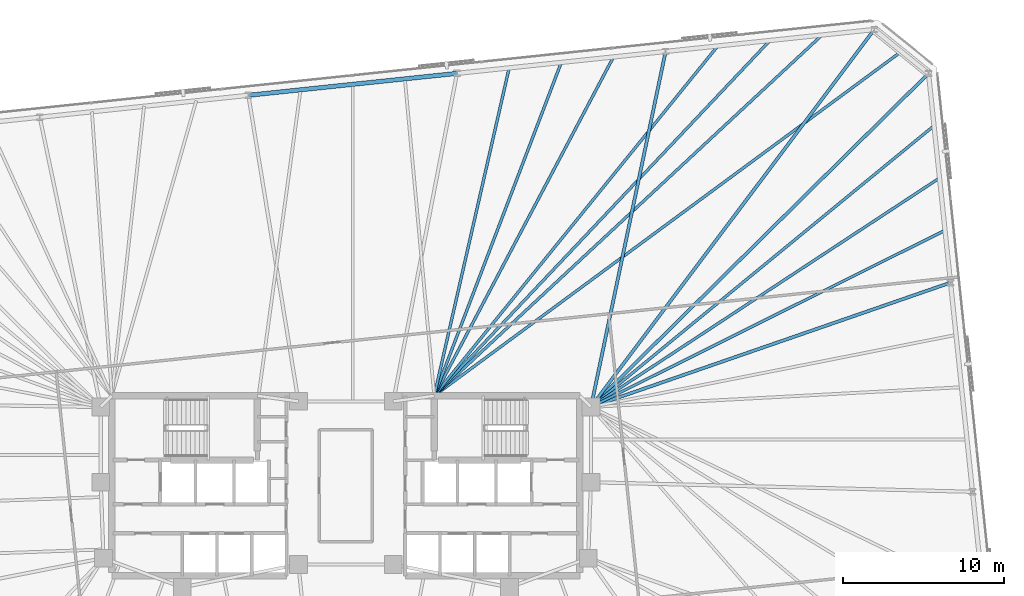
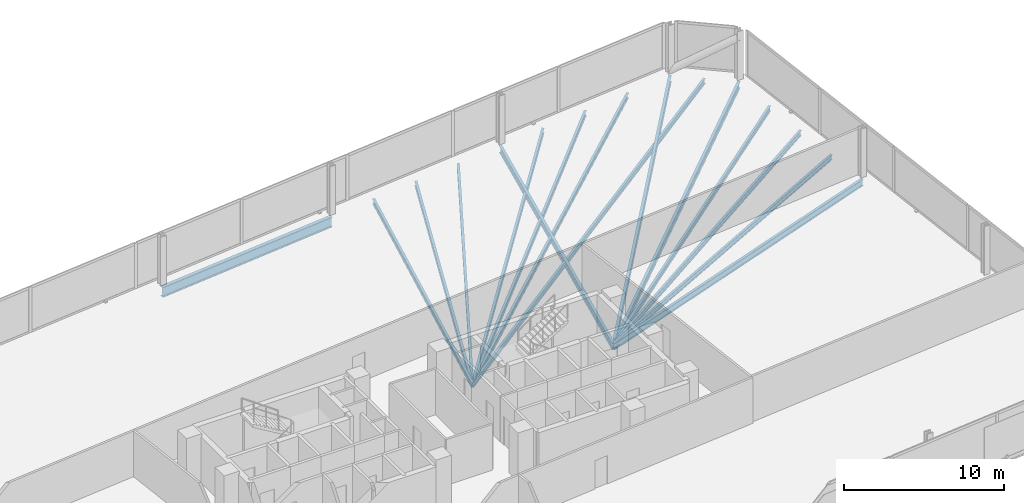
# One storey, part 10 of 17: 15 beams.
"""IFC4 building model written with IfcOpenShell, lengths in metres."""

from ifc_helpers import new_model, si_unit, direction, frame, origin, origin_2d, place, context, subcontext, project, spatial, i_section, extrude, material, material_profile, profile_set, type_object, element, save


model = new_model("IFC4")

# Units and contexts
model_context = context("Model", 3, precision=1e-05, world=origin(), true_north=direction((0.0, 1.0)))
body_context = subcontext(model_context, "Body", "Model", "MODEL_VIEW")
ifc_project = project(units=[si_unit("LENGTHUNIT", "METRE"), si_unit("AREAUNIT", "SQUARE_METRE"), si_unit("VOLUMEUNIT", "CUBIC_METRE"), si_unit("PLANEANGLEUNIT", "RADIAN"), si_unit("MASSUNIT", "GRAM", prefix="KILO")], contexts=[model_context])

# Site, building, storey
site_placement = place(None, origin())
site = spatial("IfcSite", under=ifc_project, at=site_placement, CompositionType="ELEMENT")
building_placement = place(site_placement, origin())
building = spatial("IfcBuilding", under=site, at=building_placement, Name="Menara Jurai Vektor", CompositionType="ELEMENT")
storey_placement = place(building_placement, frame((0.0, 0.0, 131.800048828125)))
storey = spatial("IfcBuildingStorey", under=building, at=storey_placement, Name="L33", CompositionType="ELEMENT", Elevation=131.800048828125)

# Beams
ifc_material_1 = material(Name="Steel S355", Category="steel")
ifc_material_profile_1 = material_profile(ifc_material_1, i_section(OverallWidth=0.199951171875, OverallDepth=0.5, WebThickness=0.011962890625, FlangeThickness=0.02001953125, at=origin_2d()), Name="PG 500x200x96")
ifc_profile_set_1 = profile_set([ifc_material_profile_1], Name="Steel S355")
beam_type_1 = type_object("IfcBeamType", Name="STR-BM-500", PredefinedType="BEAM", material=ifc_profile_set_1)
beam_1_placement = place(storey_placement, frame((37.62060546875, 12.638427734375, -0.47509765625), z_axis=(-0.945053249867, -0.326916434148, 0.0), x_axis=(0.326916434148, -0.945053249867, 0.0)))
element("IfcBeam", 1, at=beam_1_placement, inside=storey, type_object=beam_type_1, Name="Radial Floor Girder L33-E3", PredefinedType="BEAM", context=body_context, shape_type="SweptSolid", body=[
    extrude(i_section(OverallWidth=0.199951171875, OverallDepth=0.5, WebThickness=0.011962890625, FlangeThickness=0.02001953125, at=origin_2d()), origin(), (0.0, 0.0, 1.0), 23.671142578125),
])
beam_2_placement = place(storey_placement, frame((36.252685546875, 25.652099609375, -0.47509765625), z_axis=(-0.711335927547, -0.702852188004, 0.0), x_axis=(0.702852188004, -0.711335927547, 0.0)))
element("IfcBeam", 2, at=beam_2_placement, inside=storey, type_object=beam_type_1, Name="Radial Floor Girder L33-E4", PredefinedType="BEAM", context=body_context, shape_type="SweptSolid", body=[
    extrude(i_section(OverallWidth=0.199951171875, OverallDepth=0.5, WebThickness=0.011962890625, FlangeThickness=0.02001953125, at=origin_2d()), origin(), (0.0, 0.0, 1.0), 29.525634765625),
])
beam_3_placement = place(storey_placement, frame((32.876220703125, 28.38623046875, -0.47509765625), z_axis=(-0.600250057552, -0.799812395758, 0.0), x_axis=(0.799812395758, -0.600250057552, 0.0)))
element("IfcBeam", 3, at=beam_3_placement, inside=storey, type_object=beam_type_1, Name="Radial Floor Girder L33-N1", PredefinedType="BEAM", context=body_context, shape_type="SweptSolid", body=[
    extrude(i_section(OverallWidth=0.199951171875, OverallDepth=0.5, WebThickness=0.011962890625, FlangeThickness=0.02001953125, at=origin_2d()), origin(), (0.0, 0.0, 1.0), 29.36474609375),
])
beam_4_placement = place(storey_placement, frame((19.896728515625, 27.02197265625, -0.47509765625), z_axis=(-0.205563576063, -0.978643763683, 0.0), x_axis=(0.978643763683, -0.205563576063, 0.0)))
element("IfcBeam", 4, at=beam_4_placement, inside=storey, type_object=beam_type_1, Name="Radial Floor Girder L33-N2", PredefinedType="BEAM", context=body_context, shape_type="SweptSolid", body=[
    extrude(i_section(OverallWidth=0.199951171875, OverallDepth=0.5, WebThickness=0.011962890625, FlangeThickness=0.02001953125, at=origin_2d()), origin(), (0.0, 0.0, 1.0), 22.604736328125),
])
ifc_material_profile_2 = material_profile(ifc_material_1, i_section(OverallWidth=0.175048828125, OverallDepth=0.3798828125, WebThickness=0.010009765625, FlangeThickness=0.014892578125, at=origin_2d()), Name="PG 380x175x58")
ifc_profile_set_2 = profile_set([ifc_material_profile_2], Name="Steel S355")
beam_type_2 = type_object("IfcBeamType", Name="STR-JS-380", PredefinedType="JOIST", material=ifc_profile_set_2)
beam_5_placement = place(storey_placement, frame((37.278564453125, 15.891845703125, -0.4150390625), z_axis=(-0.894789854106, -0.446487532849, 0.0), x_axis=(0.446487532849, -0.894789854106, 0.0)))
element("IfcBeam", 5, at=beam_5_placement, inside=storey, type_object=beam_type_2, Name="Radial Secondary Floor Joist L33-JS16", PredefinedType="JOIST", context=body_context, shape_type="SweptSolid", body=[
    extrude(i_section(OverallWidth=0.175048828125, OverallDepth=0.3798828125, WebThickness=0.010009765625, FlangeThickness=0.014892578125, at=origin_2d()), origin(), (0.0, 0.0, 1.0), 24.61865234375),
])
beam_6_placement = place(storey_placement, frame((36.936767578125, 19.145263671875, -0.4150390625), z_axis=(-0.835810585743, -0.549017909326, 0.0), x_axis=(0.549017909326, -0.835810585743, 0.0)))
element("IfcBeam", 6, at=beam_6_placement, inside=storey, type_object=beam_type_2, Name="Radial Secondary Floor Joist L33-JS17", PredefinedType="JOIST", context=body_context, shape_type="SweptSolid", body=[
    extrude(i_section(OverallWidth=0.175048828125, OverallDepth=0.3798828125, WebThickness=0.010009765625, FlangeThickness=0.014892578125, at=origin_2d()), origin(), (0.0, 0.0, 1.0), 25.947021484375),
])
beam_7_placement = place(storey_placement, frame((36.5947265625, 22.398681640625, -0.4150390625), z_axis=(-0.773337004811, -0.63399517111, 0.0), x_axis=(0.63399517111, -0.773337004811, 0.0)))
element("IfcBeam", 7, at=beam_7_placement, inside=storey, type_object=beam_type_2, Name="Radial Secondary Floor Joist L33-JS18", PredefinedType="JOIST", context=body_context, shape_type="SweptSolid", body=[
    extrude(i_section(OverallWidth=0.175048828125, OverallDepth=0.3798828125, WebThickness=0.010009765625, FlangeThickness=0.014892578125, at=origin_2d()), origin(), (0.0, 0.0, 1.0), 27.600830078125),
])
beam_8_placement = place(storey_placement, frame((34.564453125, 27.01904296875, -0.4150390625), z_axis=(-0.805015724179, -0.593253473504, 0.0), x_axis=(0.593253473504, -0.805015724179, 0.0)))
element("IfcBeam", 8, at=beam_8_placement, inside=storey, type_object=beam_type_2, Name="Radial Secondary Floor Joist L33-JS19", PredefinedType="JOIST", context=body_context, shape_type="SweptSolid", body=[
    extrude(i_section(OverallWidth=0.175048828125, OverallDepth=0.3798828125, WebThickness=0.010009765625, FlangeThickness=0.014892578125, at=origin_2d()), origin(), (0.0, 0.0, 1.0), 36.104248046875),
])
beam_9_placement = place(storey_placement, frame((29.63134765625, 28.045166015625, -0.4150390625), z_axis=(-0.732227546694, -0.681060070671, 0.0), x_axis=(0.681060070671, -0.732227546694, 0.0)))
element("IfcBeam", 9, at=beam_9_placement, inside=storey, type_object=beam_type_2, Name="Radial Secondary Floor Joist L33-JS20", PredefinedType="JOIST", context=body_context, shape_type="SweptSolid", body=[
    extrude(i_section(OverallWidth=0.175048828125, OverallDepth=0.3798828125, WebThickness=0.010009765625, FlangeThickness=0.014892578125, at=origin_2d()), origin(), (0.0, 0.0, 1.0), 32.9560546875),
])
beam_10_placement = place(storey_placement, frame((26.386474609375, 27.7041015625, -0.4150390625), z_axis=(-0.686805497462, -0.726841254096, 0.0), x_axis=(0.726841254096, -0.686805497462, 0.0)))
element("IfcBeam", 10, at=beam_10_placement, inside=storey, type_object=beam_type_2, Name="Radial Secondary Floor Joist L33-JS21", PredefinedType="JOIST", context=body_context, shape_type="SweptSolid", body=[
    extrude(i_section(OverallWidth=0.175048828125, OverallDepth=0.3798828125, WebThickness=0.010009765625, FlangeThickness=0.014892578125, at=origin_2d()), origin(), (0.0, 0.0, 1.0), 30.4111328125),
])
beam_11_placement = place(storey_placement, frame((23.1416015625, 27.363037109375, -0.4150390625), z_axis=(-0.629715269624, -0.776826028917, 0.0), x_axis=(0.776826028917, -0.629715269624, 0.0)))
element("IfcBeam", 11, at=beam_11_placement, inside=storey, type_object=beam_type_2, Name="Radial Secondary Floor Joist L33-JS22", PredefinedType="JOIST", context=body_context, shape_type="SweptSolid", body=[
    extrude(i_section(OverallWidth=0.175048828125, OverallDepth=0.3798828125, WebThickness=0.010009765625, FlangeThickness=0.014892578125, at=origin_2d()), origin(), (0.0, 0.0, 1.0), 28.01513671875),
])
beam_12_placement = place(storey_placement, frame((16.651611328125, 26.680908203125, -0.4150390625), z_axis=(-0.467598899237, -0.883940761268, 0.0), x_axis=(0.883940761268, -0.467598899237, 0.0)))
element("IfcBeam", 12, at=beam_12_placement, inside=storey, type_object=beam_type_2, Name="Radial Secondary Floor Joist L33-JS23", PredefinedType="JOIST", context=body_context, shape_type="SweptSolid", body=[
    extrude(i_section(OverallWidth=0.175048828125, OverallDepth=0.3798828125, WebThickness=0.010009765625, FlangeThickness=0.014892578125, at=origin_2d()), origin(), (0.0, 0.0, 1.0), 23.8486328125),
])
beam_13_placement = place(storey_placement, frame((13.40673828125, 26.33984375, -0.4150390625), z_axis=(-0.3562267616, -0.934399536772, 0.0), x_axis=(0.934399536772, -0.3562267616, 0.0)))
element("IfcBeam", 13, at=beam_13_placement, inside=storey, type_object=beam_type_2, Name="Radial Secondary Floor Joist L33-JS24", PredefinedType="JOIST", context=body_context, shape_type="SweptSolid", body=[
    extrude(i_section(OverallWidth=0.175048828125, OverallDepth=0.3798828125, WebThickness=0.010009765625, FlangeThickness=0.014892578125, at=origin_2d()), origin(), (0.0, 0.0, 1.0), 22.19580078125),
])
beam_14_placement = place(storey_placement, frame((10.161865234375, 25.998779296875, -0.4150390625), z_axis=(-0.222793437271, -0.974865675008, 0.0), x_axis=(0.974865675008, -0.222793437271, 0.0)))
element("IfcBeam", 14, at=beam_14_placement, inside=storey, type_object=beam_type_2, Name="Radial Secondary Floor Joist L33-JS25", PredefinedType="JOIST", context=body_context, shape_type="SweptSolid", body=[
    extrude(i_section(OverallWidth=0.175048828125, OverallDepth=0.3798828125, WebThickness=0.010009765625, FlangeThickness=0.014892578125, at=origin_2d()), origin(), (0.0, 0.0, 1.0), 20.924560546875),
])
ifc_material_2 = material(Name="Steel S460", Category="steel")
ifc_material_profile_3 = material_profile(ifc_material_2, i_section(OverallWidth=0.26806640625, OverallDepth=0.77001953125, WebThickness=0.01611328125, FlangeThickness=0.02490234375, FilletRadius=0.01708984375, at=origin_2d()), Name="UKB 762x267x197")
ifc_profile_set_3 = profile_set([ifc_material_profile_3], Name="Steel S460")
beam_type_3 = type_object("IfcBeamType", Name="STR-SP-762", PredefinedType="SPANDREL", material=ifc_profile_set_3)
beam_15_placement = place(storey_placement, frame((6.9169921875, 25.65771484375, -0.610107421875), z_axis=(-0.994521431679, -0.104532874882, 0.0), x_axis=(0.104532874882, -0.994521431679, 0.0)))
element("IfcBeam", 15, at=beam_15_placement, inside=storey, type_object=beam_type_3, Name="Exoskeleton Spandrel Beam L33-13", PredefinedType="SPANDREL", context=body_context, shape_type="SweptSolid", body=[
    extrude(i_section(OverallWidth=0.26806640625, OverallDepth=0.77001953125, WebThickness=0.01611328125, FlangeThickness=0.02490234375, FilletRadius=0.01708984375, at=origin_2d()), origin(), (0.0, 0.0, 1.0), 13.051025390625),
])

save(model, "model.ifc")
